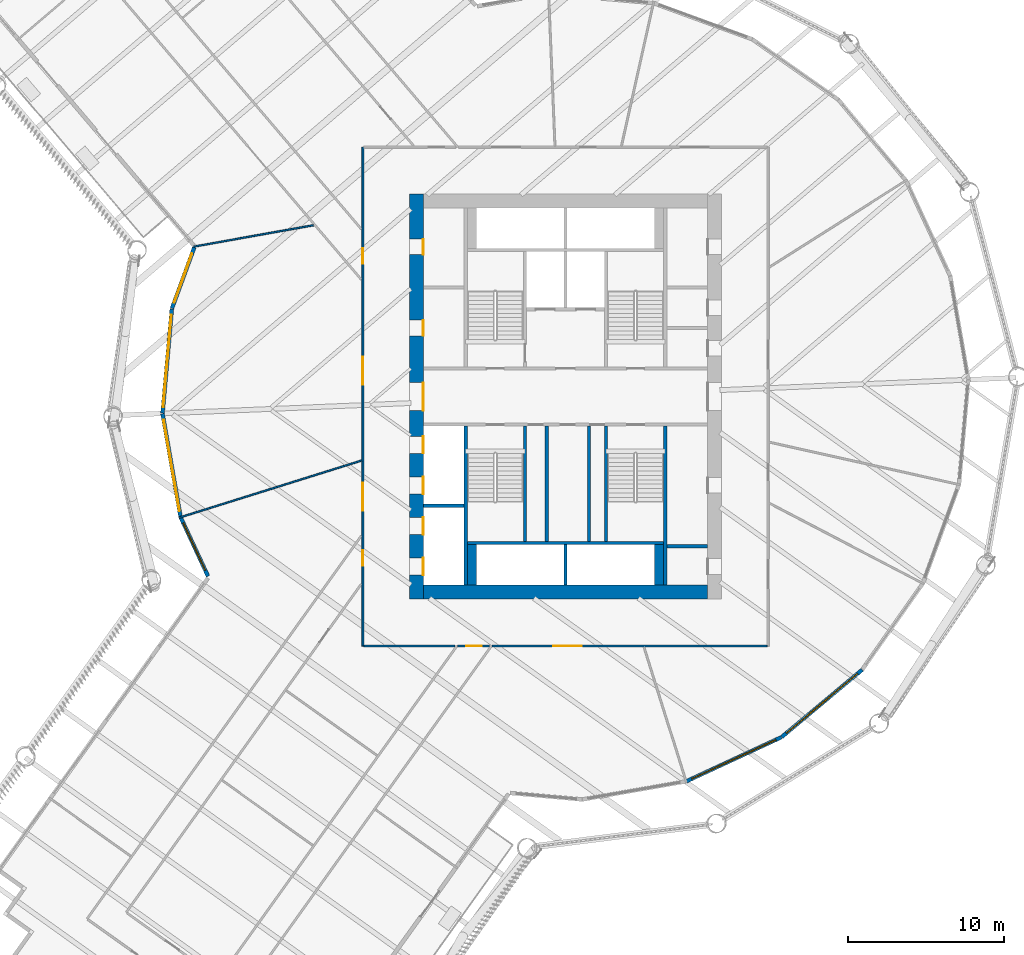
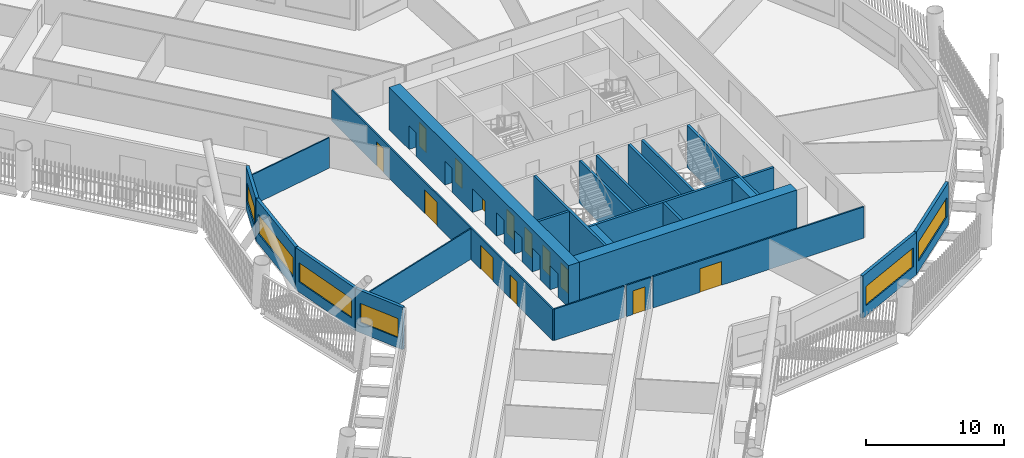
# One storey, part 4 of 21: 26 walls, 13 doors, 6 windows, 19 openings.
"""IFC4 building model written with IfcOpenShell, lengths in metres."""

import ifcopenshell
import ifcopenshell.guid

model = None  # the IFC model being written
_history = None  # IfcOwnerHistory: only IFC2X3 demands one
_inside = {}  # id of a spatial element -> (the spatial element, [elements in it])
_under = {}  # id of a project, library or spatial element -> (it, [spatial elements below it])
_declared = {}  # id of a project -> (the project, [libraries it declares])
_typed = {}  # id of a type object -> (the type object, [elements of that type])
_made_of = {}  # id of a material, layer set ... -> (it, [elements and type objects made of it])


def new_model(schema):
    """Start an empty IFC model of exactly this schema.

    Asked for "IFC4X3", IfcOpenShell would pick the latest addendum, in which some entities
    have other attributes; the version numbers below select the first issue.
    IFC2X3 requires an IfcOwnerHistory on every rooted entity: one is made here for all.
    """
    global model, _history
    if schema == "IFC4X3":
        model = ifcopenshell.file(schema_version=(4, 3, 0, 0))
    else:
        model = ifcopenshell.file(schema=schema)
    _inside.clear()
    _under.clear()
    _declared.clear()
    _typed.clear()
    _made_of.clear()
    _history = None
    if model.schema == "IFC2X3":
        org = make("IfcOrganization", Name="unknown")
        user = make(
            "IfcPersonAndOrganization",
            ThePerson=make("IfcPerson", FamilyName="unknown"),
            TheOrganization=org,
        )
        app = make(
            "IfcApplication",
            ApplicationDeveloper=org,
            Version="unknown",
            ApplicationFullName="unknown",
            ApplicationIdentifier="unknown",
        )
        _history = make(
            "IfcOwnerHistory",
            OwningUser=user,
            OwningApplication=app,
            ChangeAction="ADDED",
            CreationDate=0,
        )
    return model


def make(cls, **values):
    """One entity of the class cls with the attributes given. An attribute that is None is left unset."""
    return model.create_entity(
        cls, **{name: value for name, value in values.items() if value is not None}
    )


def rooted(cls, **values):
    """An entity with a GlobalId (a new one), such as an element, a storey or a relation."""
    return make(cls, GlobalId=ifcopenshell.guid.new(), OwnerHistory=_history, **values)


def si_unit(unit_type, name, prefix=None):
    """IfcSIUnit, for example si_unit("LENGTHUNIT", "METRE", prefix="MILLI")."""
    return make("IfcSIUnit", UnitType=unit_type, Prefix=prefix, Name=name)


def assignment(units):
    """IfcUnitAssignment: the units of a project."""
    return None if units is None else make("IfcUnitAssignment", Units=units)


def point(xyz):
    """IfcCartesianPoint."""
    return None if xyz is None else make("IfcCartesianPoint", Coordinates=xyz)


def direction(xyz):
    """IfcDirection."""
    return None if xyz is None else make("IfcDirection", DirectionRatios=xyz)


def frame(location, z_axis=None, x_axis=None):
    """IfcAxis2Placement3D, a coordinate frame: its origin and axes. An axis left out is left unset."""
    return make(
        "IfcAxis2Placement3D",
        Location=point(location),
        Axis=direction(z_axis),
        RefDirection=direction(x_axis),
    )


def frame_2d(location, x_axis=None):
    """IfcAxis2Placement2D, a coordinate frame in the plane: its origin and x axis."""
    return make(
        "IfcAxis2Placement2D", Location=point(location), RefDirection=direction(x_axis)
    )


def origin():
    """The frame at (0, 0, 0) with its axes left unset."""
    return frame((0.0, 0.0, 0.0))


def place(relative_to, where):
    """IfcLocalPlacement: puts the frame where relative to a parent placement (None: the world)."""
    return make(
        "IfcLocalPlacement", PlacementRelTo=relative_to, RelativePlacement=where
    )


def context(
    kind, dimensions, precision=None, world=None, true_north=None, identifier=None
):
    """IfcGeometricRepresentationContext, for example the 3D "Model" context."""
    return make(
        "IfcGeometricRepresentationContext",
        ContextIdentifier=identifier,
        ContextType=kind,
        CoordinateSpaceDimension=dimensions,
        Precision=precision,
        WorldCoordinateSystem=world,
        TrueNorth=true_north,
    )


def subcontext(parent, identifier, kind, view, scale=None):
    """IfcGeometricRepresentationSubContext, for example "Body" below "Model"."""
    return make(
        "IfcGeometricRepresentationSubContext",
        ContextIdentifier=identifier,
        ContextType=kind,
        ParentContext=parent,
        TargetScale=scale,
        TargetView=view,
    )


def project(units=None, contexts=None):
    """IfcProject with its units and contexts."""
    return rooted(
        "IfcProject",
        Name="project",
        RepresentationContexts=contexts,
        UnitsInContext=assignment(units),
    )


def spatial(cls, under=None, at=None, **own):
    """A site, building, storey or space (cls), placed at a placement, below another one or the project."""
    s = rooted(cls, ObjectPlacement=at, **own)
    if under is not None:
        _under.setdefault(under.id(), (under, []))[1].append(s)
    return s


def profile(cls, at=None, kind="AREA", **sizes):
    """A parametric profile (cls). Its sizes go by their IFC names, for example OverallWidth=200.0."""
    return make(cls, ProfileType=kind, Position=at, **sizes)


def rectangle(**sizes):
    """IfcRectangleProfileDef."""
    return profile("IfcRectangleProfileDef", **sizes)


def extrude(swept, where, along, depth):
    """IfcExtrudedAreaSolid: the profile swept, set in the frame where, extruded along a direction by depth."""
    return make(
        "IfcExtrudedAreaSolid",
        SweptArea=swept,
        Position=where,
        ExtrudedDirection=direction(along),
        Depth=depth,
    )


def shape(context_of_items, identifier, shape_type, items):
    """IfcShapeRepresentation: the items that make up one representation, for example the "Body"."""
    return make(
        "IfcShapeRepresentation",
        ContextOfItems=context_of_items,
        RepresentationIdentifier=identifier,
        RepresentationType=shape_type,
        Items=items,
    )


def material(Name=None, Category=None):
    """IfcMaterial."""
    return make("IfcMaterial", Name=Name, Category=Category)


def layer(
    of_material, thickness, ventilated=None, Name=None, Category=None, Priority=None
):
    """IfcMaterialLayer: one layer of a wall or slab, of a material (None: an air gap)."""
    return make(
        "IfcMaterialLayer",
        Material=of_material,
        LayerThickness=thickness,
        IsVentilated=ventilated,
        Name=Name,
        Category=Category,
        Priority=Priority,
    )


def layer_set(layers, Name=None):
    """IfcMaterialLayerSet."""
    return make("IfcMaterialLayerSet", MaterialLayers=layers, LayerSetName=Name)


def made_of(thing, what):
    """Note that an element or type object is made of a material, layer set ...; save() writes the relation."""
    if what is not None:
        _made_of.setdefault(what.id(), (what, []))[1].append(thing)
    return thing


def type_object(cls, material=None, **own):
    """A type object (cls), such as IfcWallType, which elements share."""
    return made_of(rooted(cls, **own), material)


def element(
    cls,
    number,
    at=None,
    inside=None,
    cuts=None,
    type_object=None,
    material=None,
    context=None,
    identifier="Body",
    shape_type=None,
    held_by="IfcProductDefinitionShape",
    body=None,
    shapes=None,
    **own,
):
    """One element of the class cls, such as IfcWall. Its Tag is "e" and its number.

    at: its placement. inside: the storey or other place that contains it. cuts: it is an
    opening in that element (IfcRelVoidsElement). A single representation is given by context,
    identifier, shape_type and body (its items); several are given by shapes. held_by: the class
    of the entity that holds the representations. save() writes the other relations.
    """
    e = rooted(cls, Tag="e%d" % number, ObjectPlacement=at, **own)
    if body is not None:
        shapes = [shape(context, identifier, shape_type, body)]
    if shapes is not None:
        e.Representation = make(held_by, Representations=shapes)
    if inside is not None:
        _inside.setdefault(inside.id(), (inside, []))[1].append(e)
    if cuts is not None:
        rooted(
            "IfcRelVoidsElement", RelatingBuildingElement=cuts, RelatedOpeningElement=e
        )
    if type_object is not None:
        _typed.setdefault(type_object.id(), (type_object, []))[1].append(e)
    return made_of(e, material)


def fill(opening, filler):
    """IfcRelFillsElement: the door or window that sits in an opening."""
    return rooted(
        "IfcRelFillsElement",
        RelatingOpeningElement=opening,
        RelatedBuildingElement=filler,
    )


def aggregate(whole, parts):
    """IfcRelAggregates: a whole, such as a stair, and the parts it consists of."""
    return rooted("IfcRelAggregates", RelatingObject=whole, RelatedObjects=parts)


def save(model, path):
    """Write the relations noted so far, then the file.

    IfcRelAggregates (storeys below a building ...), IfcRelContainedInSpatialStructure (elements
    in a storey), IfcRelDefinesByType, IfcRelAssociatesMaterial and IfcRelDeclares: one each for
    every whole, place, type object, material and project.
    """
    for whole, parts in _under.values():
        aggregate(whole, parts)
    for where, things in _inside.values():
        rooted(
            "IfcRelContainedInSpatialStructure",
            RelatedElements=things,
            RelatingStructure=where,
        )
    for kind, things in _typed.values():
        rooted("IfcRelDefinesByType", RelatedObjects=things, RelatingType=kind)
    for what, things in _made_of.values():
        rooted("IfcRelAssociatesMaterial", RelatedObjects=things, RelatingMaterial=what)
    for by, libraries in _declared.values():
        rooted("IfcRelDeclares", RelatingContext=by, RelatedDefinitions=libraries)
    model.write(path)


model = new_model("IFC4")

# Units and contexts
model_context = context("Model", 3, precision=1e-05, world=origin(), true_north=direction((0.0, 1.0)))
body_context = subcontext(model_context, "Body", "Model", "MODEL_VIEW")
ifc_project = project(units=[si_unit("LENGTHUNIT", "METRE"), si_unit("AREAUNIT", "SQUARE_METRE"), si_unit("VOLUMEUNIT", "CUBIC_METRE"), si_unit("PLANEANGLEUNIT", "RADIAN"), si_unit("MASSUNIT", "GRAM", prefix="KILO")], contexts=[model_context])

# Site, building, storey
site_placement = place(None, origin())
site = spatial("IfcSite", under=ifc_project, at=site_placement, CompositionType="ELEMENT")
building_placement = place(site_placement, origin())
building = spatial("IfcBuilding", under=site, at=building_placement, Name="Tarsis Ring Headquarters", CompositionType="ELEMENT")
storey_placement = place(building_placement, frame((0.0, 0.0, 47.800048828125)))
storey = spatial("IfcBuildingStorey", under=building, at=storey_placement, Name="L09", CompositionType="ELEMENT", Elevation=47.800048828125)

# Walls
ifc_material_1 = material(Name="Blockwork", Category="masonry")
ifc_layer_1 = layer(ifc_material_1, 0.199951171875)
ifc_layer_set_1 = layer_set([ifc_layer_1], Name="Core blockwork wall 200")
wall_type_1 = type_object("IfcWallType", Name="Core blockwork wall 200", PredefinedType="PARTITIONING", material=ifc_layer_set_1)
wall_1_placement = place(storey_placement, frame((6.5, -9.60009765625, 0.0), z_axis=(0.0, 0.0, 1.0), x_axis=(1.0, 0.0, 0.0)))
element("IfcWall", 1, at=wall_1_placement, inside=storey, type_object=wall_type_1, Name="Core partition ED1", PredefinedType="PARTITIONING", context=body_context, shape_type="SweptSolid", body=[
    extrude(rectangle(XDim=2.60009765625, YDim=0.199951171875, at=frame_2d((1.300048828125, 0.0))), origin(), (0.0, 0.0, 1.0), 3.739990234375),
])
for number, where, z_axis, x_axis, name in (
    (2, (-1.199951171875, -9.300048828125, 0.0), (0.0, 0.0, 1.0), (0.0, 1.0, 0.0), "Core partition SV1"),
    (3, (1.5, -9.300048828125, 0.0), (0.0, 0.0, 1.0), (0.0, 1.0, 0.0), "Core partition SV2"),
):
    element("IfcWall", number, at=place(storey_placement, frame(where, z_axis=z_axis, x_axis=x_axis)), inside=storey, type_object=wall_type_1, Name=name, PredefinedType="PARTITIONING", context=body_context, shape_type="SweptSolid", body=[
        extrude(rectangle(XDim=7.400146484375, YDim=0.199951171875, at=frame_2d((3.7001953125, 0.0))), origin(), (0.0, 0.0, 1.0), 3.739990234375),
    ])

# Wall, openings, doors
ifc_material_2 = material(Name="Concrete C60/75", Category="concrete")
ifc_layer_2 = layer(ifc_material_2, 0.89990234375)
ifc_layer_set_2 = layer_set([ifc_layer_2], Name="Core wall 900 C60/75")
wall_type_2 = type_object("IfcWallType", Name="Core wall 900 C60/75", PredefinedType="SHEAR", material=ifc_layer_set_2)
wall_2_placement = place(storey_placement, frame((-9.550048828125, -13.0, 0.0), z_axis=(0.0, 0.0, 1.0), x_axis=(0.0, 1.0, 0.0)))
wall_2 = element("IfcWall", 4, at=wall_2_placement, inside=storey, type_object=wall_type_2, Name="Core wall OW", PredefinedType="SHEAR", context=body_context, shape_type="SweptSolid", body=[
    extrude(rectangle(XDim=26.0, YDim=0.89990234375, at=frame_2d((13.0, 0.0))), origin(), (0.0, 0.0, 1.0), 3.739990234375),
])
opening_1_placement = place(wall_2_placement, frame((1.550048828125, 0.0, 0.0)))
opening_1 = element("IfcOpeningElement", 5, at=opening_1_placement, cuts=wall_2, Name="Opening LD-LR1", PredefinedType="OPENING", context=body_context, shape_type="SweptSolid", body=[
    extrude(rectangle(XDim=1.10009765625, YDim=2.10009765625, at=frame_2d((0.550048828125, 1.050048828125))), frame((0.0, 0.4599609375, 0.0), z_axis=(0.0, -1.0, 0.0), x_axis=(1.0, 0.0, 0.0)), (0.0, 0.0, 1.0), 0.919921875),
])
opening_2_placement = place(wall_2_placement, frame((4.14990234375, 0.0, 0.0)))
opening_2 = element("IfcOpeningElement", 6, at=opening_2_placement, cuts=wall_2, Name="Opening LD-LR2", PredefinedType="OPENING", context=body_context, shape_type="SweptSolid", body=[
    extrude(rectangle(XDim=1.10009765625, YDim=2.10009765625, at=frame_2d((0.550048828125, 1.050048828125))), frame((0.0, 0.4599609375, 0.0), z_axis=(0.0, -1.0, 0.0), x_axis=(1.0, 0.0, 0.0)), (0.0, 0.0, 1.0), 0.919921875),
])
opening_3_placement = place(wall_2_placement, frame((6.75, 0.0, 0.0)))
opening_3 = element("IfcOpeningElement", 7, at=opening_3_placement, cuts=wall_2, Name="Opening LD-LR3", PredefinedType="OPENING", context=body_context, shape_type="SweptSolid", body=[
    extrude(rectangle(XDim=1.10009765625, YDim=2.10009765625, at=frame_2d((0.550048828125, 1.050048828125))), frame((0.0, 0.4599609375, 0.0), z_axis=(0.0, -1.0, 0.0), x_axis=(1.0, 0.0, 0.0)), (0.0, 0.0, 1.0), 0.919921875),
])
opening_4_placement = place(wall_2_placement, frame((9.35009765625, 0.0, 0.0)))
opening_4 = element("IfcOpeningElement", 8, at=opening_4_placement, cuts=wall_2, Name="Opening LD-LR4", PredefinedType="OPENING", context=body_context, shape_type="SweptSolid", body=[
    extrude(rectangle(XDim=1.10009765625, YDim=2.10009765625, at=frame_2d((0.550048828125, 1.050048828125))), frame((0.0, 0.4599609375, 0.0), z_axis=(0.0, -1.0, 0.0), x_axis=(1.0, 0.0, 0.0)), (0.0, 0.0, 1.0), 0.919921875),
])
opening_5_placement = place(wall_2_placement, frame((12.10009765625, 0.0, 0.0)))
opening_5 = element("IfcOpeningElement", 9, at=opening_5_placement, cuts=wall_2, Name="Opening L09-C05", PredefinedType="OPENING", context=body_context, shape_type="SweptSolid", body=[
    extrude(rectangle(XDim=1.800048828125, YDim=2.10009765625, at=frame_2d((0.89990234375, 1.050048828125))), frame((0.0, 0.4599609375, 0.0), z_axis=(0.0, -1.0, 0.0), x_axis=(1.0, 0.0, 0.0)), (0.0, 0.0, 1.0), 0.919921875),
])
opening_6_placement = place(wall_2_placement, frame((16.89990234375, 0.0, 0.0)))
opening_6 = element("IfcOpeningElement", 10, at=opening_6_placement, cuts=wall_2, Name="Opening L09-C06", PredefinedType="OPENING", context=body_context, shape_type="SweptSolid", body=[
    extrude(rectangle(XDim=1.0, YDim=2.10009765625, at=frame_2d((0.5, 1.050048828125))), frame((0.0, 0.4599609375, 0.0), z_axis=(0.0, -1.0, 0.0), x_axis=(1.0, 0.0, 0.0)), (0.0, 0.0, 1.0), 0.919921875),
])
opening_7_placement = place(wall_2_placement, frame((22.10009765625, 0.0, 0.0)))
opening_7 = element("IfcOpeningElement", 11, at=opening_7_placement, cuts=wall_2, Name="Opening L09-C07", PredefinedType="OPENING", context=body_context, shape_type="SweptSolid", body=[
    extrude(rectangle(XDim=1.0, YDim=2.10009765625, at=frame_2d((0.5, 1.050048828125))), frame((0.0, 0.4599609375, 0.0), z_axis=(0.0, -1.0, 0.0), x_axis=(1.0, 0.0, 0.0)), (0.0, 0.0, 1.0), 0.919921875),
])
ifc_material_3 = material(Name="Steel S355", Category="steel")
door_type_1 = type_object("IfcDoorType", Name="Core entry door 1800x2100", OperationType="DOUBLE_DOOR_SINGLE_SWING", PredefinedType="DOOR", material=ifc_material_3)
door_1_placement = place(opening_5_placement, origin())
door_1 = element("IfcDoor", 12, at=door_1_placement, inside=storey, type_object=door_type_1, Name="Core entry door L09", OperationType="DOUBLE_DOOR_SINGLE_SWING", OverallHeight=2.10009765625, OverallWidth=1.800048828125, PredefinedType="DOOR", context=body_context, shape_type="SweptSolid", body=[
    extrude(rectangle(XDim=1.800048828125, YDim=2.10009765625, at=frame_2d((0.89990234375, 1.050048828125))), frame((0.0, -0.39990234375, 0.0), z_axis=(0.0, -1.0, 0.0), x_axis=(1.0, 0.0, 0.0)), (0.0, 0.0, 1.0), 0.050048828125),
])
fill(opening_5, door_1)
door_type_2 = type_object("IfcDoorType", Name="Core room door 1000x2100", OperationType="SINGLE_SWING_LEFT", PredefinedType="DOOR", material=ifc_material_3)
door_2_placement = place(opening_6_placement, origin())
door_2 = element("IfcDoor", 13, at=door_2_placement, inside=storey, type_object=door_type_2, Name="Core room door L09", OperationType="SINGLE_SWING_LEFT", OverallHeight=2.10009765625, OverallWidth=1.0, PredefinedType="DOOR", context=body_context, shape_type="SweptSolid", body=[
    extrude(rectangle(XDim=1.0, YDim=2.10009765625, at=frame_2d((0.5, 1.050048828125))), frame((0.0, -0.39990234375, 0.0), z_axis=(0.0, -1.0, 0.0), x_axis=(1.0, 0.0, 0.0)), (0.0, 0.0, 1.0), 0.050048828125),
])
fill(opening_6, door_2)
door_3_placement = place(opening_7_placement, origin())
door_3 = element("IfcDoor", 14, at=door_3_placement, inside=storey, type_object=door_type_2, Name="Core room door L09", OperationType="SINGLE_SWING_LEFT", OverallHeight=2.10009765625, OverallWidth=1.0, PredefinedType="DOOR", context=body_context, shape_type="SweptSolid", body=[
    extrude(rectangle(XDim=1.0, YDim=2.10009765625, at=frame_2d((0.5, 1.050048828125))), frame((0.0, -0.39990234375, 0.0), z_axis=(0.0, -1.0, 0.0), x_axis=(1.0, 0.0, 0.0)), (0.0, 0.0, 1.0), 0.050048828125),
])
fill(opening_7, door_3)
door_type_3 = type_object("IfcDoorType", Name="Landing door 1100x2100", OperationType="SLIDING_TO_LEFT", PredefinedType="DOOR", material=ifc_material_3)
door_4_placement = place(opening_1_placement, origin())
door_4 = element("IfcDoor", 15, at=door_4_placement, inside=storey, type_object=door_type_3, Name="Landing door LR1 L09", OperationType="SLIDING_TO_LEFT", OverallHeight=2.10009765625, OverallWidth=1.10009765625, PredefinedType="DOOR", context=body_context, shape_type="SweptSolid", body=[
    extrude(rectangle(XDim=1.10009765625, YDim=2.10009765625, at=frame_2d((0.550048828125, 1.050048828125))), frame((0.0, -0.39990234375, 0.0), z_axis=(0.0, -1.0, 0.0), x_axis=(1.0, 0.0, 0.0)), (0.0, 0.0, 1.0), 0.050048828125),
])
fill(opening_1, door_4)
door_5_placement = place(opening_2_placement, origin())
door_5 = element("IfcDoor", 16, at=door_5_placement, inside=storey, type_object=door_type_3, Name="Landing door LR2 L09", OperationType="SLIDING_TO_LEFT", OverallHeight=2.10009765625, OverallWidth=1.10009765625, PredefinedType="DOOR", context=body_context, shape_type="SweptSolid", body=[
    extrude(rectangle(XDim=1.10009765625, YDim=2.10009765625, at=frame_2d((0.550048828125, 1.050048828125))), frame((0.0, -0.39990234375, 0.0), z_axis=(0.0, -1.0, 0.0), x_axis=(1.0, 0.0, 0.0)), (0.0, 0.0, 1.0), 0.050048828125),
])
fill(opening_2, door_5)
door_6_placement = place(opening_3_placement, origin())
door_6 = element("IfcDoor", 17, at=door_6_placement, inside=storey, type_object=door_type_3, Name="Landing door LR3 L09", OperationType="SLIDING_TO_LEFT", OverallHeight=2.10009765625, OverallWidth=1.10009765625, PredefinedType="DOOR", context=body_context, shape_type="SweptSolid", body=[
    extrude(rectangle(XDim=1.10009765625, YDim=2.10009765625, at=frame_2d((0.550048828125, 1.050048828125))), frame((0.0, -0.39990234375, 0.0), z_axis=(0.0, -1.0, 0.0), x_axis=(1.0, 0.0, 0.0)), (0.0, 0.0, 1.0), 0.050048828125),
])
fill(opening_3, door_6)
door_7_placement = place(opening_4_placement, origin())
door_7 = element("IfcDoor", 18, at=door_7_placement, inside=storey, type_object=door_type_3, Name="Landing door LR4 L09", OperationType="SLIDING_TO_LEFT", OverallHeight=2.10009765625, OverallWidth=1.10009765625, PredefinedType="DOOR", context=body_context, shape_type="SweptSolid", body=[
    extrude(rectangle(XDim=1.10009765625, YDim=2.10009765625, at=frame_2d((0.550048828125, 1.050048828125))), frame((0.0, -0.39990234375, 0.0), z_axis=(0.0, -1.0, 0.0), x_axis=(1.0, 0.0, 0.0)), (0.0, 0.0, 1.0), 0.050048828125),
])
fill(opening_4, door_7)

# Walls
wall_3_placement = place(storey_placement, frame((-9.10009765625, -12.550048828125, 0.0), z_axis=(0.0, 0.0, 1.0), x_axis=(1.0, 0.0, 0.0)))
element("IfcWall", 19, at=wall_3_placement, inside=storey, type_object=wall_type_2, Name="Core wall OS", PredefinedType="SHEAR", context=body_context, shape_type="SweptSolid", body=[
    extrude(rectangle(XDim=18.2001953125, YDim=0.89990234375, at=frame_2d((9.10009765625, 0.0))), origin(), (0.0, 0.0, 1.0), 3.739990234375),
])
ifc_material_4 = material(Name="Gypsum board on steel studs", Category="steel")
ifc_layer_3 = layer(ifc_material_4, 0.10009765625)
ifc_layer_set_3 = layer_set([ifc_layer_3], Name="FL partition 100 unrated")
wall_type_3 = type_object("IfcWallType", Name="FL partition 100 unrated", PredefinedType="PARTITIONING", material=ifc_layer_set_3)
wall_4_placement = place(storey_placement, frame((-24.760498046875, -7.759521484375, 0.0), z_axis=(0.0, 0.0, 1.0), x_axis=(0.954240385089, 0.299040611733, 0.0)))
element("IfcWall", 20, at=wall_4_placement, inside=storey, type_object=wall_type_3, Name="Partition PW3", PredefinedType="PARTITIONING", context=body_context, shape_type="SweptSolid", body=[
    extrude(rectangle(XDim=12.25439453125, YDim=0.10009765625, at=frame_2d((6.127197265625, 0.0))), origin(), (0.0, 0.0, 1.0), 2.699951171875),
])
wall_5_placement = place(storey_placement, frame((-23.844970703125, 9.618408203125, 0.0), z_axis=(0.0, 0.0, 1.0), x_axis=(0.984348320386, 0.176233890477, 0.0)))
element("IfcWall", 21, at=wall_5_placement, inside=storey, type_object=wall_type_3, Name="Partition PW3", PredefinedType="PARTITIONING", context=body_context, shape_type="SweptSolid", body=[
    extrude(rectangle(XDim=7.796630859375, YDim=0.10009765625, at=frame_2d((3.8984375, 0.0))), origin(), (0.0, 0.0, 1.0), 2.699951171875),
])

# Wall, openings, doors
ifc_layer_4 = layer(ifc_material_4, 0.125)
ifc_layer_set_4 = layer_set([ifc_layer_4], Name="FL partition 125 EI 60 H2770")
wall_type_4 = type_object("IfcWallType", Name="FL partition 125 EI 60 H2770", PredefinedType="PARTITIONING", material=ifc_layer_set_4)
wall_6_placement = place(storey_placement, frame((-13.0, -16.0, 0.0), z_axis=(0.0, 0.0, 1.0), x_axis=(0.0, 1.0, 0.0)))
wall_6 = element("IfcWall", 22, at=wall_6_placement, inside=storey, type_object=wall_type_4, Name="Partition PW1", PredefinedType="PARTITIONING", context=body_context, shape_type="SweptSolid", body=[
    extrude(rectangle(XDim=31.9990234375, YDim=0.125, at=frame_2d((15.99951171875, 0.0))), origin(), (0.0, 0.0, 1.0), 2.77001953125),
])
opening_8_placement = place(wall_6_placement, frame((8.6650390625, 0.0, 0.0)))
opening_8 = element("IfcOpeningElement", 23, at=opening_8_placement, cuts=wall_6, Name="Opening D09.12", PredefinedType="OPENING", context=body_context, shape_type="SweptSolid", body=[
    extrude(rectangle(XDim=1.800048828125, YDim=2.10009765625, at=frame_2d((0.89990234375, 1.050048828125))), frame((0.0, 0.072509765625, 0.0), z_axis=(0.0, -1.0, 0.0), x_axis=(1.0, 0.0, 0.0)), (0.0, 0.0, 1.0), 0.14501953125),
])
opening_9_placement = place(wall_6_placement, frame((16.75830078125, 0.0, 0.0)))
opening_9 = element("IfcOpeningElement", 24, at=opening_9_placement, cuts=wall_6, Name="Opening D09.13", PredefinedType="OPENING", context=body_context, shape_type="SweptSolid", body=[
    extrude(rectangle(XDim=1.800048828125, YDim=2.10009765625, at=frame_2d((0.89990234375, 1.050048828125))), frame((0.0, 0.072509765625, 0.0), z_axis=(0.0, -1.0, 0.0), x_axis=(1.0, 0.0, 0.0)), (0.0, 0.0, 1.0), 0.14501953125),
])
opening_10_placement = place(wall_6_placement, frame((5.157958984375, 0.0, 0.0)))
opening_10 = element("IfcOpeningElement", 25, at=opening_10_placement, cuts=wall_6, Name="Opening D09.19", PredefinedType="OPENING", context=body_context, shape_type="SweptSolid", body=[
    extrude(rectangle(XDim=1.0, YDim=2.10009765625, at=frame_2d((0.5, 1.050048828125))), frame((0.0, 0.072509765625, 0.0), z_axis=(0.0, -1.0, 0.0), x_axis=(1.0, 0.0, 0.0)), (0.0, 0.0, 1.0), 0.14501953125),
])
opening_11_placement = place(wall_6_placement, frame((24.5107421875, 0.0, 0.0)))
opening_11 = element("IfcOpeningElement", 26, at=opening_11_placement, cuts=wall_6, Name="Opening D09.21", PredefinedType="OPENING", context=body_context, shape_type="SweptSolid", body=[
    extrude(rectangle(XDim=1.0, YDim=2.10009765625, at=frame_2d((0.5, 1.050048828125))), frame((0.0, 0.072509765625, 0.0), z_axis=(0.0, -1.0, 0.0), x_axis=(1.0, 0.0, 0.0)), (0.0, 0.0, 1.0), 0.14501953125),
])
ifc_material_5 = material(Name="Fire-rated timber door leaf in steel frame", Category="steel")
door_type_4 = type_object("IfcDoorType", Name="FL door FD60-1000", OperationType="NOTDEFINED", PredefinedType="DOOR", material=ifc_material_5)
door_8_placement = place(opening_10_placement, origin())
door_8 = element("IfcDoor", 27, at=door_8_placement, inside=storey, type_object=door_type_4, Name="Door D09.19", OperationType="SINGLE_SWING_RIGHT", OverallHeight=2.10009765625, OverallWidth=1.0, PredefinedType="DOOR", context=body_context, shape_type="SweptSolid", body=[
    extrude(rectangle(XDim=1.0, YDim=2.10009765625, at=frame_2d((0.5, 1.050048828125))), frame((0.0, 0.02490234375, 0.0), z_axis=(0.0, -1.0, 0.0), x_axis=(1.0, 0.0, 0.0)), (0.0, 0.0, 1.0), 0.050048828125),
])
fill(opening_10, door_8)
door_9_placement = place(opening_11_placement, origin())
door_9 = element("IfcDoor", 28, at=door_9_placement, inside=storey, type_object=door_type_4, Name="Door D09.21", OperationType="SINGLE_SWING_RIGHT", OverallHeight=2.10009765625, OverallWidth=1.0, PredefinedType="DOOR", context=body_context, shape_type="SweptSolid", body=[
    extrude(rectangle(XDim=1.0, YDim=2.10009765625, at=frame_2d((0.5, 1.050048828125))), frame((0.0, 0.02490234375, 0.0), z_axis=(0.0, -1.0, 0.0), x_axis=(1.0, 0.0, 0.0)), (0.0, 0.0, 1.0), 0.050048828125),
])
fill(opening_11, door_9)
door_type_5 = type_object("IfcDoorType", Name="FL door FD60-1800", OperationType="DOUBLE_DOOR_SINGLE_SWING", PredefinedType="DOOR", material=ifc_material_5)
door_10_placement = place(opening_8_placement, origin())
door_10 = element("IfcDoor", 29, at=door_10_placement, inside=storey, type_object=door_type_5, Name="Door D09.12", OperationType="DOUBLE_DOOR_SINGLE_SWING", OverallHeight=2.10009765625, OverallWidth=1.800048828125, PredefinedType="DOOR", context=body_context, shape_type="SweptSolid", body=[
    extrude(rectangle(XDim=1.800048828125, YDim=2.10009765625, at=frame_2d((0.89990234375, 1.050048828125))), frame((0.0, 0.02490234375, 0.0), z_axis=(0.0, -1.0, 0.0), x_axis=(1.0, 0.0, 0.0)), (0.0, 0.0, 1.0), 0.050048828125),
])
fill(opening_8, door_10)
door_11_placement = place(opening_9_placement, origin())
door_11 = element("IfcDoor", 30, at=door_11_placement, inside=storey, type_object=door_type_5, Name="Door D09.13", OperationType="DOUBLE_DOOR_SINGLE_SWING", OverallHeight=2.10009765625, OverallWidth=1.800048828125, PredefinedType="DOOR", context=body_context, shape_type="SweptSolid", body=[
    extrude(rectangle(XDim=1.800048828125, YDim=2.10009765625, at=frame_2d((0.89990234375, 1.050048828125))), frame((0.0, 0.02490234375, 0.0), z_axis=(0.0, -1.0, 0.0), x_axis=(1.0, 0.0, 0.0)), (0.0, 0.0, 1.0), 0.050048828125),
])
fill(opening_9, door_11)

# Wall
wall_7_placement = place(storey_placement, frame((-12.93994140625, -16.0, 0.0), z_axis=(0.0, 0.0, 1.0), x_axis=(1.0, 0.0, 0.0)))
element("IfcWall", 31, at=wall_7_placement, inside=storey, type_object=wall_type_4, Name="Partition PW1", PredefinedType="PARTITIONING", context=body_context, shape_type="SweptSolid", body=[
    extrude(rectangle(XDim=5.8525390625, YDim=0.125, at=frame_2d((2.92626953125, 0.0))), origin(), (0.0, 0.0, 1.0), 2.77001953125),
])

# Wall, opening, door
wall_8_placement = place(storey_placement, frame((-6.9150390625, -16.0, 0.0), z_axis=(0.0, 0.0, 1.0), x_axis=(1.0, 0.0, 0.0)))
wall_8 = element("IfcWall", 32, at=wall_8_placement, inside=storey, type_object=wall_type_4, Name="Partition PW1", PredefinedType="PARTITIONING", context=body_context, shape_type="SweptSolid", body=[
    extrude(rectangle(XDim=2.041259765625, YDim=0.125, at=frame_2d((1.0205078125, 0.0))), origin(), (0.0, 0.0, 1.0), 2.77001953125),
])
opening_12_placement = place(wall_8_placement, frame((0.55615234375, 0.0, 0.0)))
opening_12 = element("IfcOpeningElement", 33, at=opening_12_placement, cuts=wall_8, Name="Opening D09.20", PredefinedType="OPENING", context=body_context, shape_type="SweptSolid", body=[
    extrude(rectangle(XDim=1.0, YDim=2.10009765625, at=frame_2d((0.5, 1.050048828125))), frame((0.0, 0.072509765625, 0.0), z_axis=(0.0, -1.0, 0.0), x_axis=(1.0, 0.0, 0.0)), (0.0, 0.0, 1.0), 0.14501953125),
])
door_12_placement = place(opening_12_placement, origin())
door_12 = element("IfcDoor", 34, at=door_12_placement, inside=storey, type_object=door_type_4, Name="Door D09.20", OperationType="SINGLE_SWING_LEFT", OverallHeight=2.10009765625, OverallWidth=1.0, PredefinedType="DOOR", context=body_context, shape_type="SweptSolid", body=[
    extrude(rectangle(XDim=1.0, YDim=2.10009765625, at=frame_2d((0.5, 1.050048828125))), frame((0.0, 0.02490234375, 0.0), z_axis=(0.0, -1.0, 0.0), x_axis=(1.0, 0.0, 0.0)), (0.0, 0.0, 1.0), 0.050048828125),
])
fill(opening_12, door_12)

wall_9_placement = place(storey_placement, frame((-4.701416015625, -16.0, 0.0), z_axis=(0.0, 0.0, 1.0), x_axis=(1.0, 0.0, 0.0)))
wall_9 = element("IfcWall", 35, at=wall_9_placement, inside=storey, type_object=wall_type_4, Name="Partition PW1", PredefinedType="PARTITIONING", context=body_context, shape_type="SweptSolid", body=[
    extrude(rectangle(XDim=17.641357421875, YDim=0.125, at=frame_2d((8.82080078125, 0.0))), origin(), (0.0, 0.0, 1.0), 2.77001953125),
])
opening_13_placement = place(wall_9_placement, frame((3.932373046875, 0.0, 0.0)))
opening_13 = element("IfcOpeningElement", 36, at=opening_13_placement, cuts=wall_9, Name="Opening D09.09", PredefinedType="OPENING", context=body_context, shape_type="SweptSolid", body=[
    extrude(rectangle(XDim=1.800048828125, YDim=2.10009765625, at=frame_2d((0.89990234375, 1.050048828125))), frame((0.0, 0.072509765625, 0.0), z_axis=(0.0, -1.0, 0.0), x_axis=(1.0, 0.0, 0.0)), (0.0, 0.0, 1.0), 0.14501953125),
])
door_13_placement = place(opening_13_placement, origin())
door_13 = element("IfcDoor", 37, at=door_13_placement, inside=storey, type_object=door_type_5, Name="Door D09.09", OperationType="DOUBLE_DOOR_SINGLE_SWING", OverallHeight=2.10009765625, OverallWidth=1.800048828125, PredefinedType="DOOR", context=body_context, shape_type="SweptSolid", body=[
    extrude(rectangle(XDim=1.800048828125, YDim=2.10009765625, at=frame_2d((0.89990234375, 1.050048828125))), frame((0.0, 0.02490234375, 0.0), z_axis=(0.0, -1.0, 0.0), x_axis=(1.0, 0.0, 0.0)), (0.0, 0.0, 1.0), 0.050048828125),
])
fill(opening_13, door_13)

# Wall, opening, window
ifc_material_6 = material(Name="Terracotta clad insulated panel wall", Category="masonry")
ifc_layer_5 = layer(ifc_material_6, 0.25)
ifc_layer_set_5 = layer_set([ifc_layer_5], Name="Facade wall terracotta panel 250")
wall_type_5 = type_object("IfcWallType", Name="Facade wall terracotta panel 250", PredefinedType="STANDARD", material=ifc_layer_set_5)
wall_10_placement = place(storey_placement, frame((-23.81640625, 9.56396484375, 0.0), z_axis=(0.0, 0.0, 1.0), x_axis=(-0.343647216423, -0.93909881836, 0.0)))
wall_10 = element("IfcWall", 38, at=wall_10_placement, inside=storey, type_object=wall_type_5, Name="External wall L09-02", PredefinedType="STANDARD", context=body_context, shape_type="SweptSolid", body=[
    extrude(rectangle(XDim=4.157470703125, YDim=0.25, at=frame_2d((2.07861328125, 0.0))), origin(), (0.0, 0.0, 1.0), 3.739990234375),
])
opening_14_placement = place(wall_10_placement, frame((0.420166015625, 0.0, 0.89990234375)))
opening_14 = element("IfcOpeningElement", 39, at=opening_14_placement, cuts=wall_10, Name="Opening WN01", PredefinedType="OPENING", context=body_context, shape_type="SweptSolid", body=[
    extrude(rectangle(XDim=3.35009765625, YDim=1.699951171875, at=frame_2d((1.675048828125, 0.85009765625))), frame((0.0, 0.135009765625, 0.0), z_axis=(0.0, -1.0, 0.0), x_axis=(1.0, 0.0, 0.0)), (0.0, 0.0, 1.0), 0.27001953125),
])
ifc_material_7 = material(Name="Aluminium framed double glazing", Category="aluminium")
window_type_1 = type_object("IfcWindowType", Name="Facade window 3350 x 1700", PartitioningType="SINGLE_PANEL", PredefinedType="WINDOW", material=ifc_material_7)
window_1_placement = place(opening_14_placement, origin())
window_1 = element("IfcWindow", 40, at=window_1_placement, inside=storey, type_object=window_type_1, Name="Window L09-02.1", OverallHeight=1.699951171875, OverallWidth=3.35009765625, PartitioningType="SINGLE_PANEL", PredefinedType="WINDOW", context=body_context, shape_type="SweptSolid", body=[
    extrude(rectangle(XDim=3.35009765625, YDim=1.699951171875, at=frame_2d((1.675048828125, 0.85009765625))), frame((0.0, 0.030029296875, 0.0), z_axis=(0.0, -1.0, 0.0), x_axis=(1.0, 0.0, 0.0)), (0.0, 0.0, 1.0), 0.06005859375),
])
fill(opening_14, window_1)

wall_11_placement = place(storey_placement, frame((-25.252197265625, 5.6279296875, 0.0), z_axis=(0.0, 0.0, 1.0), x_axis=(-0.088914564402, -0.996039256374, 0.0)))
wall_11 = element("IfcWall", 41, at=wall_11_placement, inside=storey, type_object=wall_type_5, Name="External wall L09-03", PredefinedType="STANDARD", context=body_context, shape_type="SweptSolid", body=[
    extrude(rectangle(XDim=6.7216796875, YDim=0.25, at=frame_2d((3.36083984375, 0.0))), origin(), (0.0, 0.0, 1.0), 3.739990234375),
])
opening_15_placement = place(wall_11_placement, frame((0.3857421875, 0.0, 0.89990234375)))
opening_15 = element("IfcOpeningElement", 42, at=opening_15_placement, cuts=wall_11, Name="Opening WN07", PredefinedType="OPENING", context=body_context, shape_type="SweptSolid", body=[
    extrude(rectangle(XDim=5.949951171875, YDim=1.699951171875, at=frame_2d((2.97509765625, 0.85009765625))), frame((0.0, 0.135009765625, 0.0), z_axis=(0.0, -1.0, 0.0), x_axis=(1.0, 0.0, 0.0)), (0.0, 0.0, 1.0), 0.27001953125),
])
window_type_2 = type_object("IfcWindowType", Name="Facade window 5950 x 1700", PartitioningType="SINGLE_PANEL", PredefinedType="WINDOW", material=ifc_material_7)
window_2_placement = place(opening_15_placement, origin())
window_2 = element("IfcWindow", 43, at=window_2_placement, inside=storey, type_object=window_type_2, Name="Window L09-03.1", OverallHeight=1.699951171875, OverallWidth=5.949951171875, PartitioningType="SINGLE_PANEL", PredefinedType="WINDOW", context=body_context, shape_type="SweptSolid", body=[
    extrude(rectangle(XDim=5.949951171875, YDim=1.699951171875, at=frame_2d((2.97509765625, 0.85009765625))), frame((0.0, 0.030029296875, 0.0), z_axis=(0.0, -1.0, 0.0), x_axis=(1.0, 0.0, 0.0)), (0.0, 0.0, 1.0), 0.06005859375),
])
fill(opening_15, window_2)

wall_12_placement = place(storey_placement, frame((-25.848388671875, -1.099609375, 0.0), z_axis=(0.0, 0.0, 1.0), x_axis=(0.171909828159, -0.985112689484, 0.0)))
wall_12 = element("IfcWall", 44, at=wall_12_placement, inside=storey, type_object=wall_type_5, Name="External wall L09-04", PredefinedType="STANDARD", context=body_context, shape_type="SweptSolid", body=[
    extrude(rectangle(XDim=6.7216796875, YDim=0.25, at=frame_2d((3.36083984375, 0.0))), origin(), (0.0, 0.0, 1.0), 3.739990234375),
])
opening_16_placement = place(wall_12_placement, frame((0.3857421875, 0.0, 0.89990234375)))
opening_16 = element("IfcOpeningElement", 45, at=opening_16_placement, cuts=wall_12, Name="Opening WN07", PredefinedType="OPENING", context=body_context, shape_type="SweptSolid", body=[
    extrude(rectangle(XDim=5.949951171875, YDim=1.699951171875, at=frame_2d((2.97509765625, 0.85009765625))), frame((0.0, 0.135009765625, 0.0), z_axis=(0.0, -1.0, 0.0), x_axis=(1.0, 0.0, 0.0)), (0.0, 0.0, 1.0), 0.27001953125),
])
window_3_placement = place(opening_16_placement, origin())
window_3 = element("IfcWindow", 46, at=window_3_placement, inside=storey, type_object=window_type_2, Name="Window L09-04.1", OverallHeight=1.699951171875, OverallWidth=5.949951171875, PartitioningType="SINGLE_PANEL", PredefinedType="WINDOW", context=body_context, shape_type="SweptSolid", body=[
    extrude(rectangle(XDim=5.949951171875, YDim=1.699951171875, at=frame_2d((2.97509765625, 0.85009765625))), frame((0.0, 0.030029296875, 0.0), z_axis=(0.0, -1.0, 0.0), x_axis=(1.0, 0.0, 0.0)), (0.0, 0.0, 1.0), 0.06005859375),
])
fill(opening_16, window_3)

wall_13_placement = place(storey_placement, frame((-24.68310546875, -7.752197265625, 0.0), z_axis=(0.0, 0.0, 1.0), x_axis=(0.421023316706, -0.907049814944, 0.0)))
wall_13 = element("IfcWall", 47, at=wall_13_placement, inside=storey, type_object=wall_type_5, Name="External wall L09-05", PredefinedType="STANDARD", context=body_context, shape_type="SweptSolid", body=[
    extrude(rectangle(XDim=4.15771484375, YDim=0.25, at=frame_2d((2.078857421875, 0.0))), origin(), (0.0, 0.0, 1.0), 3.739990234375),
])
opening_17_placement = place(wall_13_placement, frame((0.38720703125, 0.0, 0.89990234375)))
opening_17 = element("IfcOpeningElement", 48, at=opening_17_placement, cuts=wall_13, Name="Opening WN01", PredefinedType="OPENING", context=body_context, shape_type="SweptSolid", body=[
    extrude(rectangle(XDim=3.35009765625, YDim=1.699951171875, at=frame_2d((1.675048828125, 0.85009765625))), frame((0.0, 0.135009765625, 0.0), z_axis=(0.0, -1.0, 0.0), x_axis=(1.0, 0.0, 0.0)), (0.0, 0.0, 1.0), 0.27001953125),
])
window_4_placement = place(opening_17_placement, origin())
window_4 = element("IfcWindow", 49, at=window_4_placement, inside=storey, type_object=window_type_1, Name="Window L09-05.1", OverallHeight=1.699951171875, OverallWidth=3.35009765625, PartitioningType="SINGLE_PANEL", PredefinedType="WINDOW", context=body_context, shape_type="SweptSolid", body=[
    extrude(rectangle(XDim=3.35009765625, YDim=1.699951171875, at=frame_2d((1.675048828125, 0.85009765625))), frame((0.0, 0.030029296875, 0.0), z_axis=(0.0, -1.0, 0.0), x_axis=(1.0, 0.0, 0.0)), (0.0, 0.0, 1.0), 0.06005859375),
])
fill(opening_17, window_4)

wall_14_placement = place(storey_placement, frame((7.752197265625, -24.68310546875, 0.0), z_axis=(0.0, 0.0, 1.0), x_axis=(0.907045132986, 0.421033403338, 0.0)))
wall_14 = element("IfcWall", 50, at=wall_14_placement, inside=storey, type_object=wall_type_5, Name="External wall L09-19", PredefinedType="STANDARD", context=body_context, shape_type="SweptSolid", body=[
    extrude(rectangle(XDim=6.7216796875, YDim=0.25, at=frame_2d((3.36083984375, 0.0))), origin(), (0.0, 0.0, 1.0), 3.739990234375),
])
opening_18_placement = place(wall_14_placement, frame((0.3857421875, 0.0, 0.89990234375)))
opening_18 = element("IfcOpeningElement", 51, at=opening_18_placement, cuts=wall_14, Name="Opening WN07", PredefinedType="OPENING", context=body_context, shape_type="SweptSolid", body=[
    extrude(rectangle(XDim=5.949951171875, YDim=1.699951171875, at=frame_2d((2.97509765625, 0.85009765625))), frame((0.0, 0.135009765625, 0.0), z_axis=(0.0, -1.0, 0.0), x_axis=(1.0, 0.0, 0.0)), (0.0, 0.0, 1.0), 0.27001953125),
])
window_5_placement = place(opening_18_placement, origin())
window_5 = element("IfcWindow", 52, at=window_5_placement, inside=storey, type_object=window_type_2, Name="Window L09-19.1", OverallHeight=1.699951171875, OverallWidth=5.949951171875, PartitioningType="SINGLE_PANEL", PredefinedType="WINDOW", context=body_context, shape_type="SweptSolid", body=[
    extrude(rectangle(XDim=5.949951171875, YDim=1.699951171875, at=frame_2d((2.97509765625, 0.85009765625))), frame((0.0, 0.030029296875, 0.0), z_axis=(0.0, -1.0, 0.0), x_axis=(1.0, 0.0, 0.0)), (0.0, 0.0, 1.0), 0.06005859375),
])
fill(opening_18, window_5)

wall_15_placement = place(storey_placement, frame((13.87646484375, -21.83544921875, 0.0), z_axis=(0.0, 0.0, 1.0), x_axis=(0.767178257797, 0.641433956666, 0.0)))
wall_15 = element("IfcWall", 53, at=wall_15_placement, inside=storey, type_object=wall_type_5, Name="External wall L09-20", PredefinedType="STANDARD", context=body_context, shape_type="SweptSolid", body=[
    extrude(rectangle(XDim=6.7216796875, YDim=0.25, at=frame_2d((3.36083984375, 0.0))), origin(), (0.0, 0.0, 1.0), 3.739990234375),
])
opening_19_placement = place(wall_15_placement, frame((0.3857421875, 0.0, 0.89990234375)))
opening_19 = element("IfcOpeningElement", 54, at=opening_19_placement, cuts=wall_15, Name="Opening WN07", PredefinedType="OPENING", context=body_context, shape_type="SweptSolid", body=[
    extrude(rectangle(XDim=5.949951171875, YDim=1.699951171875, at=frame_2d((2.97509765625, 0.85009765625))), frame((0.0, 0.135009765625, 0.0), z_axis=(0.0, -1.0, 0.0), x_axis=(1.0, 0.0, 0.0)), (0.0, 0.0, 1.0), 0.27001953125),
])
window_6_placement = place(opening_19_placement, origin())
window_6 = element("IfcWindow", 55, at=window_6_placement, inside=storey, type_object=window_type_2, Name="Window L09-20.1", OverallHeight=1.699951171875, OverallWidth=5.949951171875, PartitioningType="SINGLE_PANEL", PredefinedType="WINDOW", context=body_context, shape_type="SweptSolid", body=[
    extrude(rectangle(XDim=5.949951171875, YDim=1.699951171875, at=frame_2d((2.97509765625, 0.85009765625))), frame((0.0, 0.030029296875, 0.0), z_axis=(0.0, -1.0, 0.0), x_axis=(1.0, 0.0, 0.0)), (0.0, 0.0, 1.0), 0.06005859375),
])
fill(opening_19, window_6)

# Walls
ifc_material_8 = material(Name="Concrete C32/40", Category="concrete")
ifc_layer_6 = layer(ifc_material_8, 0.60009765625)
ifc_layer_set_6 = layer_set([ifc_layer_6], Name="Shaft end wall 600 C32/40")
wall_type_6 = type_object("IfcWallType", Name="Shaft end wall 600 C32/40", PredefinedType="SOLIDWALL", material=ifc_layer_set_6)
for number, where, z_axis, x_axis, name in (
    (56, (-6.0, -12.10009765625, 0.0), (0.0, 0.0, 1.0), (0.0, 1.0, 0.0), "Core shaft wall SNE1"),
    (57, (6.0, -12.10009765625, 0.0), (0.0, 0.0, 1.0), (0.0, 1.0, 0.0), "Core shaft wall SNE2"),
):
    element("IfcWall", number, at=place(storey_placement, frame(where, z_axis=z_axis, x_axis=x_axis)), inside=storey, type_object=wall_type_6, Name=name, PredefinedType="SOLIDWALL", context=body_context, shape_type="SweptSolid", body=[
        extrude(rectangle(XDim=2.60009765625, YDim=0.60009765625, at=frame_2d((1.300048828125, 0.0))), origin(), (0.0, 0.0, 1.0), 3.739990234375),
    ])
ifc_layer_7 = layer(ifc_material_8, 0.199951171875)
ifc_layer_set_7 = layer_set([ifc_layer_7], Name="Shaft wall 200 C32/40")
wall_type_7 = type_object("IfcWallType", Name="Shaft wall 200 C32/40", PredefinedType="SOLIDWALL", material=ifc_layer_set_7)
for number, where, z_axis, x_axis, name in (
    (58, (-6.39990234375, -12.10009765625, 0.0), (0.0, 0.0, 1.0), (0.0, 1.0, 0.0), "Core shaft wall WB1"),
    (59, (6.39990234375, -12.10009765625, 0.0), (0.0, 0.0, 1.0), (0.0, 1.0, 0.0), "Core shaft wall EB1"),
):
    element("IfcWall", number, at=place(storey_placement, frame(where, z_axis=z_axis, x_axis=x_axis)), inside=storey, type_object=wall_type_7, Name=name, PredefinedType="SOLIDWALL", context=body_context, shape_type="SweptSolid", body=[
        extrude(rectangle(XDim=10.2001953125, YDim=0.199951171875, at=frame_2d((5.10009765625, 0.0))), origin(), (0.0, 0.0, 1.0), 3.739990234375),
    ])
wall_16_placement = place(storey_placement, frame((-6.300048828125, -9.39990234375, 0.0), z_axis=(0.0, 0.0, 1.0), x_axis=(1.0, 0.0, 0.0)))
element("IfcWall", 60, at=wall_16_placement, inside=storey, type_object=wall_type_7, Name="Core shaft wall SB", PredefinedType="SOLIDWALL", context=body_context, shape_type="SweptSolid", body=[
    extrude(rectangle(XDim=12.60009765625, YDim=0.199951171875, at=frame_2d((6.300048828125, 0.0))), origin(), (0.0, 0.0, 1.0), 3.739990234375),
])
for number, where, z_axis, x_axis, name in (
    (61, (-2.60009765625, -9.300048828125, 0.0), (0.0, 0.0, 1.0), (0.0, 1.0, 0.0), "Core shaft wall SW3"),
    (62, (2.60009765625, -9.300048828125, 0.0), (0.0, 0.0, 1.0), (0.0, 1.0, 0.0), "Core shaft wall SW4"),
):
    element("IfcWall", number, at=place(storey_placement, frame(where, z_axis=z_axis, x_axis=x_axis)), inside=storey, type_object=wall_type_7, Name=name, PredefinedType="SOLIDWALL", context=body_context, shape_type="SweptSolid", body=[
        extrude(rectangle(XDim=7.400146484375, YDim=0.199951171875, at=frame_2d((3.7001953125, 0.0))), origin(), (0.0, 0.0, 1.0), 3.739990234375),
    ])
for number, where, z_axis, x_axis, name in (
    (63, (-9.10009765625, -7.0, 0.0), (0.0, 0.0, 1.0), (1.0, 0.0, 0.0), "Core shaft wall WD2"),
    (64, (0.0, -12.10009765625, 0.0), (0.0, 0.0, 1.0), (0.0, 1.0, 0.0), "Core shaft wall SD2"),
):
    element("IfcWall", number, at=place(storey_placement, frame(where, z_axis=z_axis, x_axis=x_axis)), inside=storey, type_object=wall_type_7, Name=name, PredefinedType="SOLIDWALL", context=body_context, shape_type="SweptSolid", body=[
        extrude(rectangle(XDim=2.60009765625, YDim=0.199951171875, at=frame_2d((1.300048828125, 0.0))), origin(), (0.0, 0.0, 1.0), 3.739990234375),
    ])

save(model, "model.ifc")
